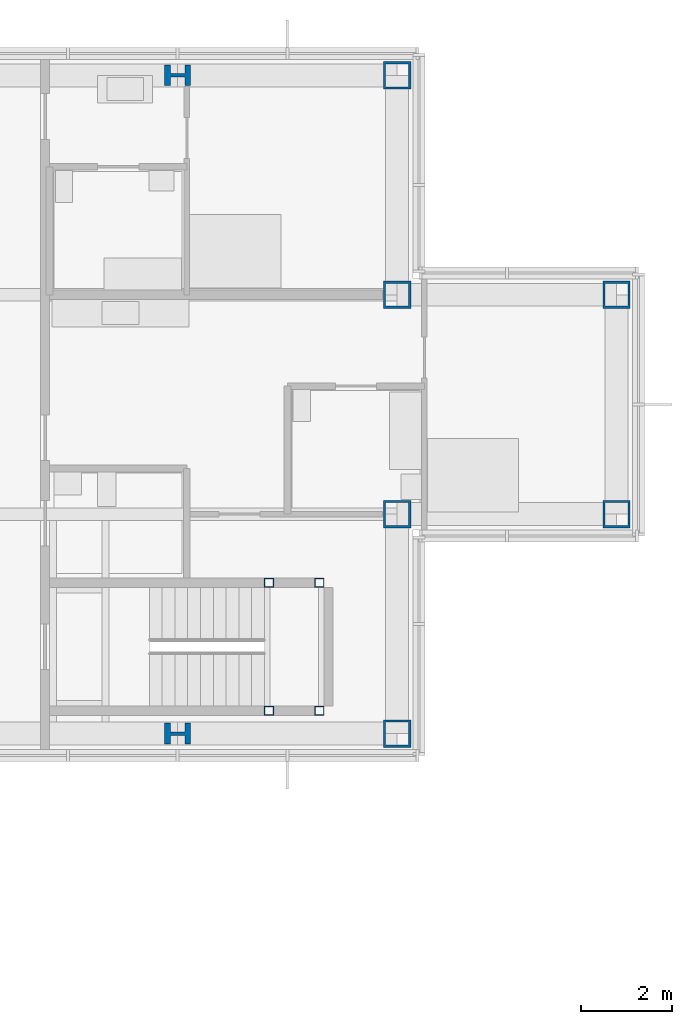
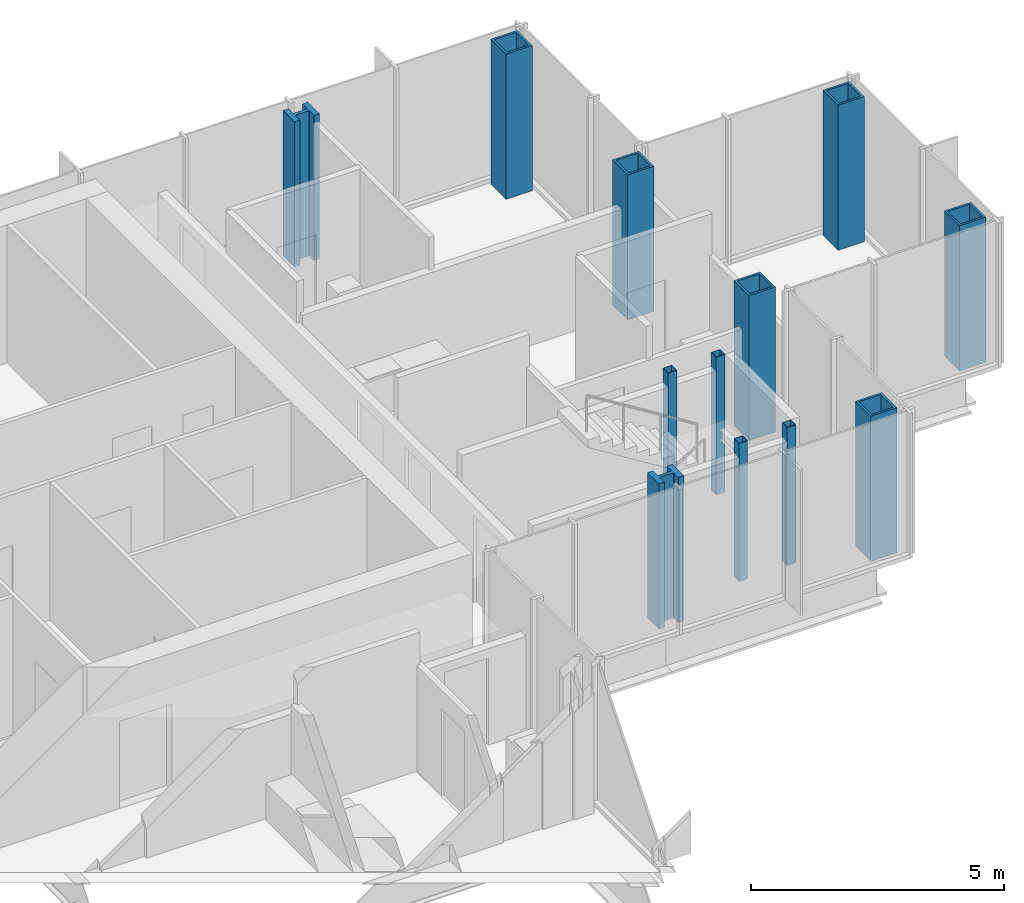
# One storey, part 4 of 15: 12 columns.
"""IFC4 building model written with IfcOpenShell, lengths in metres."""

import ifcopenshell
import ifcopenshell.guid

model = None  # the IFC model being written
_history = None  # IfcOwnerHistory: only IFC2X3 demands one
_inside = {}  # id of a spatial element -> (the spatial element, [elements in it])
_under = {}  # id of a project, library or spatial element -> (it, [spatial elements below it])
_declared = {}  # id of a project -> (the project, [libraries it declares])
_typed = {}  # id of a type object -> (the type object, [elements of that type])
_made_of = {}  # id of a material, layer set ... -> (it, [elements and type objects made of it])


def new_model(schema):
    """Start an empty IFC model of exactly this schema.

    Asked for "IFC4X3", IfcOpenShell would pick the latest addendum, in which some entities
    have other attributes; the version numbers below select the first issue.
    IFC2X3 requires an IfcOwnerHistory on every rooted entity: one is made here for all.
    """
    global model, _history
    if schema == "IFC4X3":
        model = ifcopenshell.file(schema_version=(4, 3, 0, 0))
    else:
        model = ifcopenshell.file(schema=schema)
    _inside.clear()
    _under.clear()
    _declared.clear()
    _typed.clear()
    _made_of.clear()
    _history = None
    if model.schema == "IFC2X3":
        org = make("IfcOrganization", Name="unknown")
        user = make(
            "IfcPersonAndOrganization",
            ThePerson=make("IfcPerson", FamilyName="unknown"),
            TheOrganization=org,
        )
        app = make(
            "IfcApplication",
            ApplicationDeveloper=org,
            Version="unknown",
            ApplicationFullName="unknown",
            ApplicationIdentifier="unknown",
        )
        _history = make(
            "IfcOwnerHistory",
            OwningUser=user,
            OwningApplication=app,
            ChangeAction="ADDED",
            CreationDate=0,
        )
    return model


def make(cls, **values):
    """One entity of the class cls with the attributes given. An attribute that is None is left unset."""
    return model.create_entity(
        cls, **{name: value for name, value in values.items() if value is not None}
    )


def rooted(cls, **values):
    """An entity with a GlobalId (a new one), such as an element, a storey or a relation."""
    return make(cls, GlobalId=ifcopenshell.guid.new(), OwnerHistory=_history, **values)


def si_unit(unit_type, name, prefix=None):
    """IfcSIUnit, for example si_unit("LENGTHUNIT", "METRE", prefix="MILLI")."""
    return make("IfcSIUnit", UnitType=unit_type, Prefix=prefix, Name=name)


def assignment(units):
    """IfcUnitAssignment: the units of a project."""
    return None if units is None else make("IfcUnitAssignment", Units=units)


def point(xyz):
    """IfcCartesianPoint."""
    return None if xyz is None else make("IfcCartesianPoint", Coordinates=xyz)


def direction(xyz):
    """IfcDirection."""
    return None if xyz is None else make("IfcDirection", DirectionRatios=xyz)


def frame(location, z_axis=None, x_axis=None):
    """IfcAxis2Placement3D, a coordinate frame: its origin and axes. An axis left out is left unset."""
    return make(
        "IfcAxis2Placement3D",
        Location=point(location),
        Axis=direction(z_axis),
        RefDirection=direction(x_axis),
    )


def frame_2d(location, x_axis=None):
    """IfcAxis2Placement2D, a coordinate frame in the plane: its origin and x axis."""
    return make(
        "IfcAxis2Placement2D", Location=point(location), RefDirection=direction(x_axis)
    )


def origin():
    """The frame at (0, 0, 0) with its axes left unset."""
    return frame((0.0, 0.0, 0.0))


def origin_2d():
    """The frame at (0, 0) in the plane with its x axis left unset."""
    return frame_2d((0.0, 0.0))


def place(relative_to, where):
    """IfcLocalPlacement: puts the frame where relative to a parent placement (None: the world)."""
    return make(
        "IfcLocalPlacement", PlacementRelTo=relative_to, RelativePlacement=where
    )


def context(
    kind, dimensions, precision=None, world=None, true_north=None, identifier=None
):
    """IfcGeometricRepresentationContext, for example the 3D "Model" context."""
    return make(
        "IfcGeometricRepresentationContext",
        ContextIdentifier=identifier,
        ContextType=kind,
        CoordinateSpaceDimension=dimensions,
        Precision=precision,
        WorldCoordinateSystem=world,
        TrueNorth=true_north,
    )


def subcontext(parent, identifier, kind, view, scale=None):
    """IfcGeometricRepresentationSubContext, for example "Body" below "Model"."""
    return make(
        "IfcGeometricRepresentationSubContext",
        ContextIdentifier=identifier,
        ContextType=kind,
        ParentContext=parent,
        TargetScale=scale,
        TargetView=view,
    )


def project(units=None, contexts=None):
    """IfcProject with its units and contexts."""
    return rooted(
        "IfcProject",
        Name="project",
        RepresentationContexts=contexts,
        UnitsInContext=assignment(units),
    )


def spatial(cls, under=None, at=None, **own):
    """A site, building, storey or space (cls), placed at a placement, below another one or the project."""
    s = rooted(cls, ObjectPlacement=at, **own)
    if under is not None:
        _under.setdefault(under.id(), (under, []))[1].append(s)
    return s


def profile(cls, at=None, kind="AREA", **sizes):
    """A parametric profile (cls). Its sizes go by their IFC names, for example OverallWidth=200.0."""
    return make(cls, ProfileType=kind, Position=at, **sizes)


def hollow_rectangle(**sizes):
    """IfcRectangleHollowProfileDef."""
    return profile("IfcRectangleHollowProfileDef", **sizes)


def i_section(**sizes):
    """IfcIShapeProfileDef."""
    return profile("IfcIShapeProfileDef", **sizes)


def extrude(swept, where, along, depth):
    """IfcExtrudedAreaSolid: the profile swept, set in the frame where, extruded along a direction by depth."""
    return make(
        "IfcExtrudedAreaSolid",
        SweptArea=swept,
        Position=where,
        ExtrudedDirection=direction(along),
        Depth=depth,
    )


def shape(context_of_items, identifier, shape_type, items):
    """IfcShapeRepresentation: the items that make up one representation, for example the "Body"."""
    return make(
        "IfcShapeRepresentation",
        ContextOfItems=context_of_items,
        RepresentationIdentifier=identifier,
        RepresentationType=shape_type,
        Items=items,
    )


def material(Name=None, Category=None):
    """IfcMaterial."""
    return make("IfcMaterial", Name=Name, Category=Category)


def material_profile(
    of_material, cross_section, Name=None, Category=None, Priority=None
):
    """IfcMaterialProfile: a cross section and its material."""
    return make(
        "IfcMaterialProfile",
        Name=Name,
        Material=of_material,
        Profile=cross_section,
        Priority=Priority,
        Category=Category,
    )


def profile_set(profiles, Name=None, composite=None):
    """IfcMaterialProfileSet."""
    return make(
        "IfcMaterialProfileSet",
        Name=Name,
        MaterialProfiles=profiles,
        CompositeProfile=composite,
    )


def made_of(thing, what):
    """Note that an element or type object is made of a material, layer set ...; save() writes the relation."""
    if what is not None:
        _made_of.setdefault(what.id(), (what, []))[1].append(thing)
    return thing


def type_object(cls, material=None, **own):
    """A type object (cls), such as IfcWallType, which elements share."""
    return made_of(rooted(cls, **own), material)


def element(
    cls,
    number,
    at=None,
    inside=None,
    cuts=None,
    type_object=None,
    material=None,
    context=None,
    identifier="Body",
    shape_type=None,
    held_by="IfcProductDefinitionShape",
    body=None,
    shapes=None,
    **own,
):
    """One element of the class cls, such as IfcWall. Its Tag is "e" and its number.

    at: its placement. inside: the storey or other place that contains it. cuts: it is an
    opening in that element (IfcRelVoidsElement). A single representation is given by context,
    identifier, shape_type and body (its items); several are given by shapes. held_by: the class
    of the entity that holds the representations. save() writes the other relations.
    """
    e = rooted(cls, Tag="e%d" % number, ObjectPlacement=at, **own)
    if body is not None:
        shapes = [shape(context, identifier, shape_type, body)]
    if shapes is not None:
        e.Representation = make(held_by, Representations=shapes)
    if inside is not None:
        _inside.setdefault(inside.id(), (inside, []))[1].append(e)
    if cuts is not None:
        rooted(
            "IfcRelVoidsElement", RelatingBuildingElement=cuts, RelatedOpeningElement=e
        )
    if type_object is not None:
        _typed.setdefault(type_object.id(), (type_object, []))[1].append(e)
    return made_of(e, material)


def aggregate(whole, parts):
    """IfcRelAggregates: a whole, such as a stair, and the parts it consists of."""
    return rooted("IfcRelAggregates", RelatingObject=whole, RelatedObjects=parts)


def save(model, path):
    """Write the relations noted so far, then the file.

    IfcRelAggregates (storeys below a building ...), IfcRelContainedInSpatialStructure (elements
    in a storey), IfcRelDefinesByType, IfcRelAssociatesMaterial and IfcRelDeclares: one each for
    every whole, place, type object, material and project.
    """
    for whole, parts in _under.values():
        aggregate(whole, parts)
    for where, things in _inside.values():
        rooted(
            "IfcRelContainedInSpatialStructure",
            RelatedElements=things,
            RelatingStructure=where,
        )
    for kind, things in _typed.values():
        rooted("IfcRelDefinesByType", RelatedObjects=things, RelatingType=kind)
    for what, things in _made_of.values():
        rooted("IfcRelAssociatesMaterial", RelatedObjects=things, RelatingMaterial=what)
    for by, libraries in _declared.values():
        rooted("IfcRelDeclares", RelatingContext=by, RelatedDefinitions=libraries)
    model.write(path)


model = new_model("IFC4")

# Units and contexts
model_context = context("Model", 3, precision=1e-05, world=origin(), true_north=direction((0.0, 1.0)))
body_context = subcontext(model_context, "Body", "Model", "MODEL_VIEW")
ifc_project = project(units=[si_unit("LENGTHUNIT", "METRE"), si_unit("AREAUNIT", "SQUARE_METRE"), si_unit("VOLUMEUNIT", "CUBIC_METRE"), si_unit("PLANEANGLEUNIT", "RADIAN"), si_unit("MASSUNIT", "GRAM", prefix="KILO")], contexts=[model_context])

# Site, building, storey
site_placement = place(None, origin())
site = spatial("IfcSite", under=ifc_project, at=site_placement, CompositionType="ELEMENT")
building_placement = place(site_placement, origin())
building = spatial("IfcBuilding", under=site, at=building_placement, Name="Kvirike Care Tower", CompositionType="ELEMENT")
storey_placement = place(building_placement, frame((0.0, 0.0, 219.0)))
storey = spatial("IfcBuildingStorey", under=building, at=storey_placement, Name="L60", CompositionType="ELEMENT", Elevation=219.0)

# Columns
ifc_material_1 = material(Name="Steel S460", Category="steel")
ifc_material_profile_1 = material_profile(ifc_material_1, hollow_rectangle(XDim=0.60009765625, YDim=0.60009765625, WallThickness=0.050048828125, at=origin_2d()), Name="BX 600x600x50")
ifc_profile_set_1 = profile_set([ifc_material_profile_1], Name="Steel S460")
column_type_1 = type_object("IfcColumnType", Name="COLUMN BX 600x600x50", PredefinedType="COLUMN", material=ifc_profile_set_1)
for number, where, z_axis, x_axis, name in (
    (1, (38.39990234375, 28.800048828125, 0.0), (0.0, 0.0, 1.0), (0.0, 1.0, 0.0), "Column G11 L60"),
    (2, (38.39990234375, 33.60009765625, 0.0), (0.0, 0.0, 1.0), (0.0, 1.0, 0.0), "Column H11 L60"),
    (3, (38.39990234375, 38.39990234375, 0.0), (0.0, 0.0, 1.0), (0.0, 1.0, 0.0), "Column J11 L60"),
    (4, (38.39990234375, 43.199951171875, 0.0), (0.0, 0.0, 1.0), (0.0, 1.0, 0.0), "Column K11 L60"),
    (5, (43.199951171875, 33.60009765625, 0.0), (0.0, 0.0, 1.0), (0.0, 1.0, 0.0), "Column H12 L60"),
    (6, (43.199951171875, 38.39990234375, 0.0), (0.0, 0.0, 1.0), (0.0, 1.0, 0.0), "Column J12 L60"),
):
    element("IfcColumn", number, at=place(storey_placement, frame(where, z_axis=z_axis, x_axis=x_axis)), inside=storey, type_object=column_type_1, Name=name, PredefinedType="COLUMN", context=body_context, shape_type="SweptSolid", body=[
        extrude(hollow_rectangle(XDim=0.60009765625, YDim=0.60009765625, WallThickness=0.050048828125, at=origin_2d()), origin(), (0.0, 0.0, 1.0), 3.5),
    ])
ifc_material_2 = material(Name="Steel S460", Category="steel")
ifc_material_profile_2 = material_profile(ifc_material_2, i_section(OverallWidth=0.4541015625, OverallDepth=0.569091796875, WebThickness=0.077880859375, FlangeThickness=0.125, FilletRadius=0.014892578125, at=origin_2d()), Name="HD 400x1086")
ifc_profile_set_2 = profile_set([ifc_material_profile_2], Name="Steel S460")
column_type_2 = type_object("IfcColumnType", Name="COLUMN HD 400x1086", PredefinedType="COLUMN", material=ifc_profile_set_2)
for number, where, z_axis, x_axis, name in (
    (7, (33.60009765625, 28.800048828125, 0.0), (0.0, 0.0, 1.0), (0.0, 1.0, 0.0), "Column G10 L60"),
    (8, (33.60009765625, 43.199951171875, 0.0), (0.0, 0.0, 1.0), (0.0, 1.0, 0.0), "Column K10 L60"),
):
    element("IfcColumn", number, at=place(storey_placement, frame(where, z_axis=z_axis, x_axis=x_axis)), inside=storey, type_object=column_type_2, Name=name, PredefinedType="COLUMN", context=body_context, shape_type="SweptSolid", body=[
        extrude(i_section(OverallWidth=0.4541015625, OverallDepth=0.569091796875, WebThickness=0.077880859375, FlangeThickness=0.125, FilletRadius=0.014892578125, at=origin_2d()), origin(), (0.0, 0.0, 1.0), 3.5),
    ])
ifc_material_3 = material(Name="Steel S460", Category="steel")
ifc_material_profile_3 = material_profile(ifc_material_3, hollow_rectangle(XDim=0.199951171875, YDim=0.199951171875, WallThickness=0.008056640625, at=origin_2d()), Name="SHS 200x200x8")
ifc_profile_set_3 = profile_set([ifc_material_profile_3], Name="Steel S460")
column_type_3 = type_object("IfcColumnType", Name="STAIR POST SHS 200x200x8", PredefinedType="COLUMN", material=ifc_profile_set_3)
for number, where, z_axis, x_axis, name in (
    (9, (36.699951171875, 29.300048828125, 0.0), (0.0, 0.0, 1.0), (1.0, 0.0, 0.0), "Stair 2 post 1 L60"),
    (10, (36.699951171875, 32.10009765625, 0.0), (0.0, 0.0, 1.0), (1.0, 0.0, 0.0), "Stair 2 post 2 L60"),
    (11, (35.60009765625, 29.300048828125, 0.0), (0.0, 0.0, 1.0), (1.0, 0.0, 0.0), "Stair 2 post 3 L60"),
    (12, (35.60009765625, 32.10009765625, 0.0), (0.0, 0.0, 1.0), (1.0, 0.0, 0.0), "Stair 2 post 4 L60"),
):
    element("IfcColumn", number, at=place(storey_placement, frame(where, z_axis=z_axis, x_axis=x_axis)), inside=storey, type_object=column_type_3, Name=name, PredefinedType="COLUMN", context=body_context, shape_type="SweptSolid", body=[
        extrude(hollow_rectangle(XDim=0.199951171875, YDim=0.199951171875, WallThickness=0.008056640625, at=origin_2d()), origin(), (0.0, 0.0, 1.0), 3.330078125),
    ])

save(model, "model.ifc")
